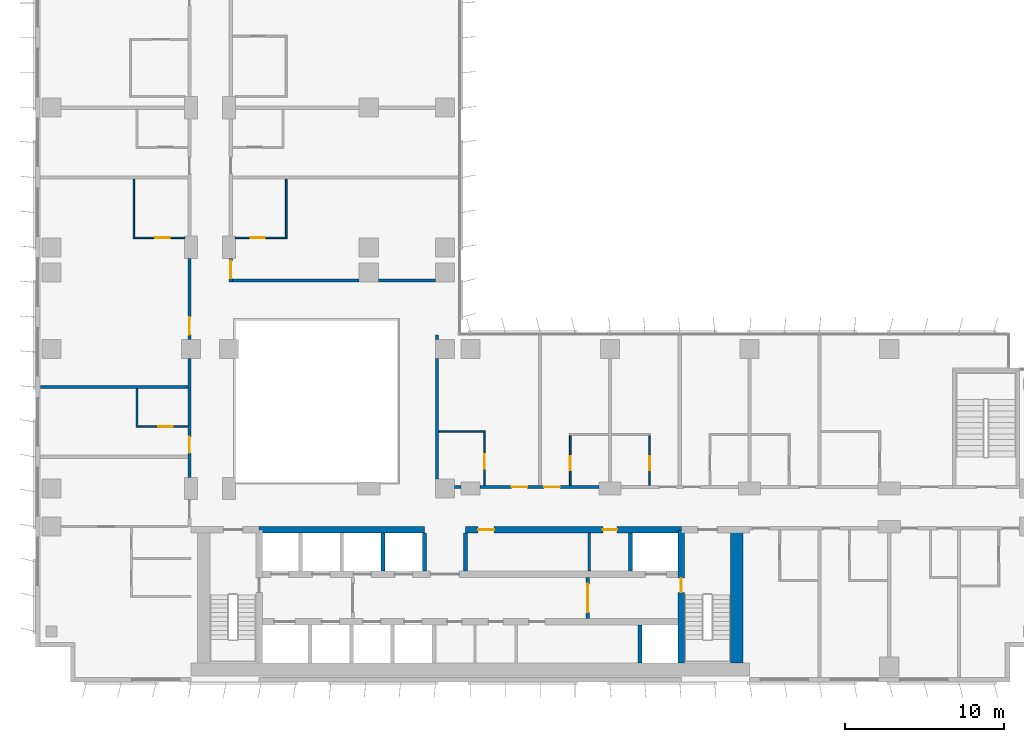
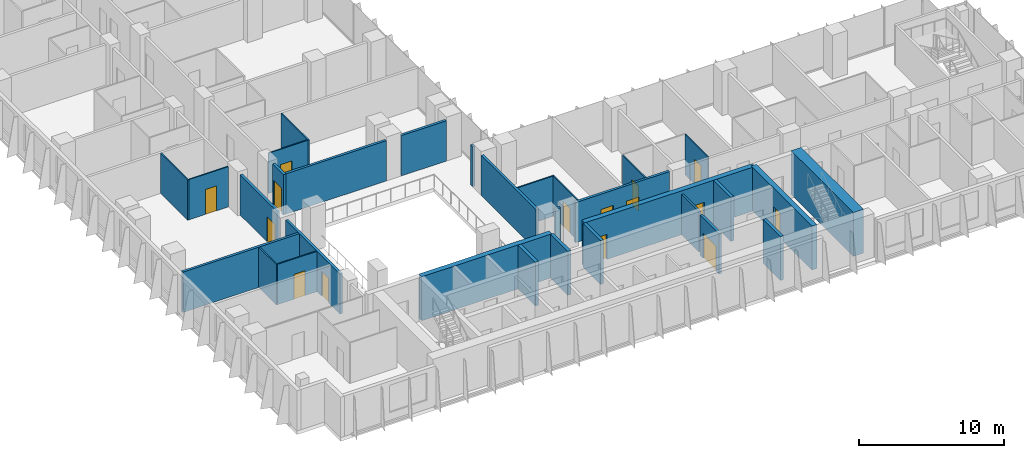
# One storey, part 13 of 23: 31 walls, 15 doors, 15 openings.
"""IFC4 building model written with IfcOpenShell, lengths in metres."""

from ifc_helpers import new_model, si_unit, direction, frame, frame_2d, origin, place, context, subcontext, project, spatial, rectangle, extrude, material, layer, layer_set, type_object, element, fill, save


model = new_model("IFC4")

# Units and contexts
model_context = context("Model", 3, precision=1e-05, world=origin(), true_north=direction((0.0, 1.0)))
body_context = subcontext(model_context, "Body", "Model", "MODEL_VIEW")
ifc_project = project(units=[si_unit("LENGTHUNIT", "METRE"), si_unit("AREAUNIT", "SQUARE_METRE"), si_unit("VOLUMEUNIT", "CUBIC_METRE"), si_unit("PLANEANGLEUNIT", "RADIAN"), si_unit("MASSUNIT", "GRAM", prefix="KILO")], contexts=[model_context])

# Site, building, storey
site_placement = place(None, origin())
site = spatial("IfcSite", under=ifc_project, at=site_placement, CompositionType="ELEMENT")
building_placement = place(site_placement, origin())
building = spatial("IfcBuilding", under=site, at=building_placement, Name="Kemantara Hotel Tower", CompositionType="ELEMENT")
storey_placement = place(building_placement, frame((0.0, 0.0, 114.800048828125)))
storey = spatial("IfcBuildingStorey", under=building, at=storey_placement, Name="L27", CompositionType="ELEMENT", Elevation=114.800048828125)

# Walls
ifc_material_1 = material(Name="Concrete fc 70 MPa", Category="concrete")
ifc_layer_1 = layer(ifc_material_1, 0.25)
ifc_layer_set_1 = layer_set([ifc_layer_1], Name="Concrete fc 70 MPa")
wall_type_1 = type_object("IfcWallType", Name="CORE WALL 250 FC70", PredefinedType="SHEAR", material=ifc_layer_set_1)
wall_1_placement = place(storey_placement, frame((38.10009765625, 1.199951171875, 0.0), z_axis=(0.0, 0.0, 1.0), x_axis=(0.0, 1.0, 0.0)))
element("IfcWall", 1, at=wall_1_placement, inside=storey, type_object=wall_type_1, Name="CORE WALL CW-DS38.1", PredefinedType="SHEAR", context=body_context, shape_type="SweptSolid", body=[
    extrude(rectangle(XDim=2.400146484375, YDim=0.25, at=frame_2d((1.2001953125, 0.0))), origin(), (0.0, 0.0, 1.0), 3.699951171875),
])
for number, where, z_axis, x_axis, name in (
    (2, (21.89990234375, 7.0, 0.0), (0.0, 0.0, 1.0), (0.0, 1.0, 0.0), "CORE WALL CW-DN21.9"),
    (3, (24.5, 7.0, 0.0), (0.0, 0.0, 1.0), (0.0, 1.0, 0.0), "CORE WALL CW-DN24.5"),
    (4, (27.10009765625, 7.0, 0.0), (0.0, 0.0, 1.0), (0.0, 1.0, 0.0), "CORE WALL CW-DN27.1"),
    (5, (37.5, 7.0, 0.0), (0.0, 0.0, 1.0), (0.0, 1.0, 0.0), "CORE WALL CW-DN37.5"),
):
    element("IfcWall", number, at=place(storey_placement, frame(where, z_axis=z_axis, x_axis=x_axis)), inside=storey, type_object=wall_type_1, Name=name, PredefinedType="SHEAR", context=body_context, shape_type="SweptSolid", body=[
        extrude(rectangle(XDim=2.39990234375, YDim=0.25, at=frame_2d((1.199951171875, 0.0))), origin(), (0.0, 0.0, 1.0), 3.699951171875),
    ])
ifc_layer_2 = layer(ifc_material_1, 0.39990234375)
ifc_layer_set_2 = layer_set([ifc_layer_2], Name="Concrete fc 70 MPa")
wall_type_2 = type_object("IfcWallType", Name="CORE WALL 400 FC70", PredefinedType="SHEAR", material=ifc_layer_set_2)
wall_2_placement = place(storey_placement, frame((14.10009765625, 9.60009765625, 0.0), z_axis=(0.0, 0.0, 1.0), x_axis=(1.0, 0.0, 0.0)))
element("IfcWall", 6, at=wall_2_placement, inside=storey, type_object=wall_type_2, Name="CORE WALL CW-NN1", PredefinedType="SHEAR", context=body_context, shape_type="SweptSolid", body=[
    extrude(rectangle(XDim=10.39990234375, YDim=0.39990234375, at=frame_2d((5.199951171875, 0.0))), origin(), (0.0, 0.0, 1.0), 3.699951171875),
])

# Wall, openings, doors
wall_3_placement = place(storey_placement, frame((27.10009765625, 9.60009765625, 0.0), z_axis=(0.0, 0.0, 1.0), x_axis=(1.0, 0.0, 0.0)))
wall_3 = element("IfcWall", 7, at=wall_3_placement, inside=storey, type_object=wall_type_2, Name="CORE WALL CW-NN2", PredefinedType="SHEAR", context=body_context, shape_type="SweptSolid", body=[
    extrude(rectangle(XDim=13.599853515625, YDim=0.39990234375, at=frame_2d((6.7998046875, 0.0))), origin(), (0.0, 0.0, 1.0), 3.699951171875),
])
opening_1_placement = place(wall_3_placement, frame((0.800048828125, 0.0, 0.0)))
opening_1 = element("IfcOpeningElement", 8, at=opening_1_placement, cuts=wall_3, Name="Opening C19-R-NE1", PredefinedType="OPENING", context=body_context, shape_type="SweptSolid", body=[
    extrude(rectangle(XDim=1.0, YDim=2.10009765625, at=frame_2d((0.5, 1.050048828125))), frame((0.0, 0.2099609375, 0.0), z_axis=(0.0, -1.0, 0.0), x_axis=(1.0, 0.0, 0.0)), (0.0, 0.0, 1.0), 0.419921875),
])
opening_2_placement = place(wall_3_placement, frame((8.64990234375, 0.0, 0.0)))
opening_2 = element("IfcOpeningElement", 9, at=opening_2_placement, cuts=wall_3, Name="Opening C19-R-NE2", PredefinedType="OPENING", context=body_context, shape_type="SweptSolid", body=[
    extrude(rectangle(XDim=0.89990234375, YDim=2.10009765625, at=frame_2d((0.449951171875, 1.050048828125))), frame((0.0, 0.2099609375, 0.0), z_axis=(0.0, -1.0, 0.0), x_axis=(1.0, 0.0, 0.0)), (0.0, 0.0, 1.0), 0.419921875),
])
ifc_material_2 = material(Name="Steel fire door", Category="steel")
door_type_1 = type_object("IfcDoorType", Name="Fire door FD30S 1000 x 2100", OperationType="NOTDEFINED", PredefinedType="DOOR", material=ifc_material_2)
door_1_placement = place(opening_1_placement, frame((1.0, 0.0, 0.0), z_axis=(0.0, 0.0, 1.0), x_axis=(-1.0, 0.0, 0.0)))
door_1 = element("IfcDoor", 10, at=door_1_placement, inside=storey, type_object=door_type_1, Name="Housekeeping Store door", OperationType="SINGLE_SWING_RIGHT", OverallHeight=2.10009765625, OverallWidth=1.0, PredefinedType="DOOR", context=body_context, shape_type="SweptSolid", body=[
    extrude(rectangle(XDim=1.0, YDim=2.10009765625, at=frame_2d((0.5, 1.050048828125))), frame((0.0, 0.02490234375, 0.0), z_axis=(0.0, -1.0, 0.0), x_axis=(1.0, 0.0, 0.0)), (0.0, 0.0, 1.0), 0.050048828125),
])
fill(opening_1, door_1)
door_type_2 = type_object("IfcDoorType", Name="Fire door FD60 900 x 2100", OperationType="NOTDEFINED", PredefinedType="DOOR", material=ifc_material_2)
door_2_placement = place(opening_2_placement, frame((0.89990234375, 0.0, 0.0), z_axis=(0.0, 0.0, 1.0), x_axis=(-1.0, 0.0, 0.0)))
door_2 = element("IfcDoor", 11, at=door_2_placement, inside=storey, type_object=door_type_2, Name="It Equipment Room door", OperationType="SINGLE_SWING_LEFT", OverallHeight=2.10009765625, OverallWidth=0.89990234375, PredefinedType="DOOR", context=body_context, shape_type="SweptSolid", body=[
    extrude(rectangle(XDim=0.89990234375, YDim=2.10009765625, at=frame_2d((0.449951171875, 1.050048828125))), frame((0.0, 0.02490234375, 0.0), z_axis=(0.0, -1.0, 0.0), x_axis=(1.0, 0.0, 0.0)), (0.0, 0.0, 1.0), 0.050048828125),
])
fill(opening_2, door_2)

# Wall, opening, door
wall_4_placement = place(storey_placement, frame((40.699951171875, 1.199951171875, 0.0), z_axis=(0.0, 0.0, 1.0), x_axis=(0.0, 1.0, 0.0)))
wall_4 = element("IfcWall", 12, at=wall_4_placement, inside=storey, type_object=wall_type_2, Name="CORE WALL CW-ST2W", PredefinedType="SHEAR", context=body_context, shape_type="SweptSolid", body=[
    extrude(rectangle(XDim=8.400146484375, YDim=0.39990234375, at=frame_2d((4.2001953125, 0.0))), origin(), (0.0, 0.0, 1.0), 3.699951171875),
])
opening_3_placement = place(wall_4_placement, frame((4.449951171875, 0.0, 0.0)))
opening_3 = element("IfcOpeningElement", 13, at=opening_3_placement, cuts=wall_4, Name="Opening C19-ST2-F", PredefinedType="OPENING", context=body_context, shape_type="SweptSolid", body=[
    extrude(rectangle(XDim=0.89990234375, YDim=2.10009765625, at=frame_2d((0.449951171875, 1.050048828125))), frame((0.0, 0.2099609375, 0.0), z_axis=(0.0, -1.0, 0.0), x_axis=(1.0, 0.0, 0.0)), (0.0, 0.0, 1.0), 0.419921875),
])
door_type_3 = type_object("IfcDoorType", Name="Fire door FD90 900 x 2100", OperationType="NOTDEFINED", PredefinedType="DOOR", material=ifc_material_2)
door_3_placement = place(opening_3_placement, frame((0.89990234375, 0.0, 0.0), z_axis=(0.0, 0.0, 1.0), x_axis=(-1.0, 0.0, 0.0)))
door_3 = element("IfcDoor", 14, at=door_3_placement, inside=storey, type_object=door_type_3, Name="Stair ST2 door to firefighting lobby", OperationType="SINGLE_SWING_LEFT", OverallHeight=2.10009765625, OverallWidth=0.89990234375, PredefinedType="DOOR", context=body_context, shape_type="SweptSolid", body=[
    extrude(rectangle(XDim=0.89990234375, YDim=2.10009765625, at=frame_2d((0.449951171875, 1.050048828125))), frame((0.0, 0.02490234375, 0.0), z_axis=(0.0, -1.0, 0.0), x_axis=(1.0, 0.0, 0.0)), (0.0, 0.0, 1.0), 0.050048828125),
])
fill(opening_3, door_3)

# Walls
ifc_layer_3 = layer(ifc_material_1, 0.800048828125)
ifc_layer_set_3 = layer_set([ifc_layer_3], Name="Concrete fc 70 MPa")
wall_type_3 = type_object("IfcWallType", Name="CORE WALL 800 FC70", PredefinedType="SHEAR", material=ifc_layer_set_3)
wall_5_placement = place(storey_placement, frame((44.199951171875, 1.199951171875, 0.0), z_axis=(0.0, 0.0, 1.0), x_axis=(0.0, 1.0, 0.0)))
element("IfcWall", 15, at=wall_5_placement, inside=storey, type_object=wall_type_3, Name="CORE WALL CW-E", PredefinedType="SHEAR", context=body_context, shape_type="SweptSolid", body=[
    extrude(rectangle(XDim=8.60009765625, YDim=0.800048828125, at=frame_2d((4.300048828125, 0.0))), origin(), (0.0, 0.0, 1.0), 3.699951171875),
])
ifc_material_3 = material(Name="Gypsum board partition, steel studs and mineral wool, 200 mm", Category="steel")
ifc_layer_4 = layer(ifc_material_3, 0.199951171875)
ifc_layer_set_4 = layer_set([ifc_layer_4], Name="Gypsum board partition, steel studs and mineral wool, 200 mm")
wall_type_4 = type_object("IfcWallType", Name="CORRIDOR WALL 200", PredefinedType="PARTITIONING", material=ifc_layer_set_4)
wall_6_placement = place(storey_placement, frame((26.400146484375, 12.300048828125, 0.0), z_axis=(0.0, 0.0, 1.0), x_axis=(1.0, 0.0, 0.0)))
element("IfcWall", 16, at=wall_6_placement, inside=storey, type_object=wall_type_4, Name="CORRIDOR WALL 200 007", PredefinedType="PARTITIONING", context=body_context, shape_type="SweptSolid", body=[
    extrude(rectangle(XDim=0.399658203125, YDim=0.199951171875, at=frame_2d((0.19970703125, 0.0))), origin(), (0.0, 0.0, 1.0), 3.39990234375),
])

# Wall, openings, doors
wall_7_placement = place(storey_placement, frame((28.0, 12.300048828125, 0.0), z_axis=(0.0, 0.0, 1.0), x_axis=(1.0, 0.0, 0.0)))
wall_7 = element("IfcWall", 17, at=wall_7_placement, inside=storey, type_object=wall_type_4, Name="CORRIDOR WALL 200 008", PredefinedType="PARTITIONING", context=body_context, shape_type="SweptSolid", body=[
    extrude(rectangle(XDim=7.5, YDim=0.199951171875, at=frame_2d((3.75, 0.0))), origin(), (0.0, 0.0, 1.0), 3.39990234375),
])
opening_4_placement = place(wall_7_placement, frame((2.0, 0.0, 0.0)))
opening_4 = element("IfcOpeningElement", 18, at=opening_4_placement, cuts=wall_7, Name="Opening F12-009", PredefinedType="OPENING", context=body_context, shape_type="SweptSolid", body=[
    extrude(rectangle(XDim=1.0, YDim=2.10009765625, at=frame_2d((0.5, 1.050048828125))), frame((0.0, 0.10986328125, 0.0), z_axis=(0.0, -1.0, 0.0), x_axis=(1.0, 0.0, 0.0)), (0.0, 0.0, 1.0), 0.219970703125),
])
opening_5_placement = place(wall_7_placement, frame((4.0498046875, 0.0, 0.0)))
opening_5 = element("IfcOpeningElement", 19, at=opening_5_placement, cuts=wall_7, Name="Opening F12-011", PredefinedType="OPENING", context=body_context, shape_type="SweptSolid", body=[
    extrude(rectangle(XDim=1.0, YDim=2.10009765625, at=frame_2d((0.5, 1.050048828125))), frame((0.0, 0.10986328125, 0.0), z_axis=(0.0, -1.0, 0.0), x_axis=(1.0, 0.0, 0.0)), (0.0, 0.0, 1.0), 0.219970703125),
])
ifc_material_4 = material(Name="Hardwood veneer door leaf with steel frame", Category="steel")
door_type_4 = type_object("IfcDoorType", Name="GUEST ROOM DOOR 1000 X 2100 FD30S", OperationType="NOTDEFINED", PredefinedType="DOOR", material=ifc_material_4)
door_4_placement = place(opening_4_placement, origin())
door_4 = element("IfcDoor", 20, at=door_4_placement, inside=storey, type_object=door_type_4, Name="GUEST ROOM DOOR F12-009", OperationType="SINGLE_SWING_RIGHT", OverallHeight=2.10009765625, OverallWidth=1.0, PredefinedType="DOOR", context=body_context, shape_type="SweptSolid", body=[
    extrude(rectangle(XDim=1.0, YDim=2.10009765625, at=frame_2d((0.5, 1.050048828125))), frame((0.0, 0.02490234375, 0.0), z_axis=(0.0, -1.0, 0.0), x_axis=(1.0, 0.0, 0.0)), (0.0, 0.0, 1.0), 0.050048828125),
])
fill(opening_4, door_4)
door_5_placement = place(opening_5_placement, origin())
door_5 = element("IfcDoor", 21, at=door_5_placement, inside=storey, type_object=door_type_4, Name="GUEST ROOM DOOR F12-011", OperationType="SINGLE_SWING_LEFT", OverallHeight=2.10009765625, OverallWidth=1.0, PredefinedType="DOOR", context=body_context, shape_type="SweptSolid", body=[
    extrude(rectangle(XDim=1.0, YDim=2.10009765625, at=frame_2d((0.5, 1.050048828125))), frame((0.0, 0.02490234375, 0.0), z_axis=(0.0, -1.0, 0.0), x_axis=(1.0, 0.0, 0.0)), (0.0, 0.0, 1.0), 0.050048828125),
])
fill(opening_5, door_5)

# Wall, opening, door
wall_8_placement = place(storey_placement, frame((9.699951171875, 12.900146484375, 0.0), z_axis=(0.0, 0.0, 1.0), x_axis=(0.0, 1.0, 0.0)))
wall_8 = element("IfcWall", 22, at=wall_8_placement, inside=storey, type_object=wall_type_4, Name="CORRIDOR WALL 200 019", PredefinedType="PARTITIONING", context=body_context, shape_type="SweptSolid", body=[
    extrude(rectangle(XDim=7.499755859375, YDim=0.199951171875, at=frame_2d((3.75, 0.0))), origin(), (0.0, 0.0, 1.0), 3.39990234375),
])
opening_6_placement = place(wall_8_placement, frame((1.5498046875, 0.0, 0.0)))
opening_6 = element("IfcOpeningElement", 23, at=opening_6_placement, cuts=wall_8, Name="Opening F12-025", PredefinedType="OPENING", context=body_context, shape_type="SweptSolid", body=[
    extrude(rectangle(XDim=1.0, YDim=2.10009765625, at=frame_2d((0.5, 1.050048828125))), frame((0.0, 0.10986328125, 0.0), z_axis=(0.0, -1.0, 0.0), x_axis=(1.0, 0.0, 0.0)), (0.0, 0.0, 1.0), 0.219970703125),
])
door_6_placement = place(opening_6_placement, origin())
door_6 = element("IfcDoor", 24, at=door_6_placement, inside=storey, type_object=door_type_4, Name="GUEST ROOM DOOR F12-025", OperationType="SINGLE_SWING_LEFT", OverallHeight=2.10009765625, OverallWidth=1.0, PredefinedType="DOOR", context=body_context, shape_type="SweptSolid", body=[
    extrude(rectangle(XDim=1.0, YDim=2.10009765625, at=frame_2d((0.5, 1.050048828125))), frame((0.0, 0.02490234375, 0.0), z_axis=(0.0, -1.0, 0.0), x_axis=(1.0, 0.0, 0.0)), (0.0, 0.0, 1.0), 0.050048828125),
])
fill(opening_6, door_6)

wall_9_placement = place(storey_placement, frame((9.699951171875, 21.60009765625, 0.0), z_axis=(0.0, 0.0, 1.0), x_axis=(0.0, 1.0, 0.0)))
wall_9 = element("IfcWall", 25, at=wall_9_placement, inside=storey, type_object=wall_type_4, Name="CORRIDOR WALL 200 020", PredefinedType="PARTITIONING", context=body_context, shape_type="SweptSolid", body=[
    extrude(rectangle(XDim=5.099853515625, YDim=0.199951171875, at=frame_2d((2.5498046875, 0.0))), origin(), (0.0, 0.0, 1.0), 3.39990234375),
])
opening_7_placement = place(wall_9_placement, frame((0.2998046875, 0.0, 0.0)))
opening_7 = element("IfcOpeningElement", 26, at=opening_7_placement, cuts=wall_9, Name="Opening F12-027", PredefinedType="OPENING", context=body_context, shape_type="SweptSolid", body=[
    extrude(rectangle(XDim=1.10009765625, YDim=2.10009765625, at=frame_2d((0.550048828125, 1.050048828125))), frame((0.0, 0.10986328125, 0.0), z_axis=(0.0, -1.0, 0.0), x_axis=(1.0, 0.0, 0.0)), (0.0, 0.0, 1.0), 0.219970703125),
])
door_type_5 = type_object("IfcDoorType", Name="SUITE ENTRANCE DOOR 1100 X 2100 FD30S", OperationType="NOTDEFINED", PredefinedType="DOOR", material=ifc_material_4)
door_7_placement = place(opening_7_placement, origin())
door_7 = element("IfcDoor", 27, at=door_7_placement, inside=storey, type_object=door_type_5, Name="SUITE ENTRANCE DOOR F12-027", OperationType="SINGLE_SWING_LEFT", OverallHeight=2.10009765625, OverallWidth=1.10009765625, PredefinedType="DOOR", context=body_context, shape_type="SweptSolid", body=[
    extrude(rectangle(XDim=1.10009765625, YDim=2.10009765625, at=frame_2d((0.550048828125, 1.050048828125))), frame((0.0, 0.02490234375, 0.0), z_axis=(0.0, -1.0, 0.0), x_axis=(1.0, 0.0, 0.0)), (0.0, 0.0, 1.0), 0.050048828125),
])
fill(opening_7, door_7)

wall_10_placement = place(storey_placement, frame((12.300048828125, 26.699951171875, 0.0), z_axis=(0.0, 0.0, 1.0), x_axis=(0.0, -1.0, 0.0)))
wall_10 = element("IfcWall", 28, at=wall_10_placement, inside=storey, type_object=wall_type_4, Name="CORRIDOR WALL 200 044", PredefinedType="PARTITIONING", context=body_context, shape_type="SweptSolid", body=[
    extrude(rectangle(XDim=1.5, YDim=0.199951171875, at=frame_2d((0.75, 0.0))), origin(), (0.0, 0.0, 1.0), 3.39990234375),
])
opening_8_placement = place(wall_10_placement, frame((0.14990234375, 0.0, 0.0)))
opening_8 = element("IfcOpeningElement", 29, at=opening_8_placement, cuts=wall_10, Name="Opening F12-045", PredefinedType="OPENING", context=body_context, shape_type="SweptSolid", body=[
    extrude(rectangle(XDim=1.10009765625, YDim=2.10009765625, at=frame_2d((0.550048828125, 1.050048828125))), frame((0.0, 0.10986328125, 0.0), z_axis=(0.0, -1.0, 0.0), x_axis=(1.0, 0.0, 0.0)), (0.0, 0.0, 1.0), 0.219970703125),
])
door_8_placement = place(opening_8_placement, origin())
door_8 = element("IfcDoor", 30, at=door_8_placement, inside=storey, type_object=door_type_5, Name="SUITE ENTRANCE DOOR F12-045", OperationType="SINGLE_SWING_RIGHT", OverallHeight=2.10009765625, OverallWidth=1.10009765625, PredefinedType="DOOR", context=body_context, shape_type="SweptSolid", body=[
    extrude(rectangle(XDim=1.10009765625, YDim=2.10009765625, at=frame_2d((0.550048828125, 1.050048828125))), frame((0.0, 0.02490234375, 0.0), z_axis=(0.0, -1.0, 0.0), x_axis=(1.0, 0.0, 0.0)), (0.0, 0.0, 1.0), 0.050048828125),
])
fill(opening_8, door_8)

# Walls
ifc_layer_5 = layer(ifc_material_3, 0.199951171875)
ifc_layer_set_5 = layer_set([ifc_layer_5], Name="Gypsum board partition, steel studs and mineral wool, 200 mm")
wall_type_5 = type_object("IfcWallType", Name="GUEST ROOM PARTY WALL 200", PredefinedType="PARTITIONING", material=ifc_layer_set_5)
wall_11_placement = place(storey_placement, frame((25.300048828125, 12.800048828125, 0.0), z_axis=(0.0, 0.0, 1.0), x_axis=(0.0, 1.0, 0.0)))
element("IfcWall", 31, at=wall_11_placement, inside=storey, type_object=wall_type_5, Name="GUEST ROOM PARTY WALL 200 012", PredefinedType="PARTITIONING", context=body_context, shape_type="SweptSolid", body=[
    extrude(rectangle(XDim=7.599853515625, YDim=0.199951171875, at=frame_2d((3.7998046875, 0.0))), origin(), (0.0, 0.0, 1.0), 3.39990234375),
])
wall_12_placement = place(storey_placement, frame((25.300048828125, 21.60009765625, 0.0), z_axis=(0.0, 0.0, 1.0), x_axis=(0.0, 1.0, 0.0)))
element("IfcWall", 32, at=wall_12_placement, inside=storey, type_object=wall_type_5, Name="GUEST ROOM PARTY WALL 200 013", PredefinedType="PARTITIONING", context=body_context, shape_type="SweptSolid", body=[
    extrude(rectangle(XDim=0.27001953125, YDim=0.199951171875, at=frame_2d((0.135009765625, 0.0))), origin(), (0.0, 0.0, 1.0), 3.39990234375),
])
wall_13_placement = place(storey_placement, frame((0.31005859375, 18.60009765625, 0.0), z_axis=(0.0, 0.0, 1.0), x_axis=(1.0, 0.0, 0.0)))
element("IfcWall", 33, at=wall_13_placement, inside=storey, type_object=wall_type_5, Name="GUEST ROOM PARTY WALL 200 028", PredefinedType="PARTITIONING", context=body_context, shape_type="SweptSolid", body=[
    extrude(rectangle(XDim=9.2900390625, YDim=0.199951171875, at=frame_2d((4.64501953125, 0.0))), origin(), (0.0, 0.0, 1.0), 3.39990234375),
])
wall_14_placement = place(storey_placement, frame((12.39990234375, 25.300048828125, 0.0), z_axis=(0.0, 0.0, 1.0), x_axis=(1.0, 0.0, 0.0)))
element("IfcWall", 34, at=wall_14_placement, inside=storey, type_object=wall_type_5, Name="GUEST ROOM PARTY WALL 200 051", PredefinedType="PARTITIONING", context=body_context, shape_type="SweptSolid", body=[
    extrude(rectangle(XDim=8.0, YDim=0.199951171875, at=frame_2d((4.0, 0.0))), origin(), (0.0, 0.0, 1.0), 3.39990234375),
])
wall_15_placement = place(storey_placement, frame((21.60009765625, 25.300048828125, 0.0), z_axis=(0.0, 0.0, 1.0), x_axis=(1.0, 0.0, 0.0)))
element("IfcWall", 35, at=wall_15_placement, inside=storey, type_object=wall_type_5, Name="GUEST ROOM PARTY WALL 200 052", PredefinedType="PARTITIONING", context=body_context, shape_type="SweptSolid", body=[
    extrude(rectangle(XDim=3.599853515625, YDim=0.199951171875, at=frame_2d((1.7998046875, 0.0))), origin(), (0.0, 0.0, 1.0), 3.39990234375),
])
ifc_material_5 = material(Name="Gypsum board partition")
ifc_layer_6 = layer(ifc_material_5, 0.14990234375)
ifc_layer_set_6 = layer_set([ifc_layer_6], Name="Gypsum board partition")
wall_type_6 = type_object("IfcWallType", Name="Gypsum board partition 150 mm", PredefinedType="PARTITIONING", material=ifc_layer_set_6)
wall_16_placement = place(storey_placement, frame((34.89990234375, 7.0, 0.0), z_axis=(0.0, 0.0, 1.0), x_axis=(0.0, 1.0, 0.0)))
element("IfcWall", 36, at=wall_16_placement, inside=storey, type_object=wall_type_6, Name="Core room partition", PredefinedType="PARTITIONING", context=body_context, shape_type="SweptSolid", body=[
    extrude(rectangle(XDim=2.39990234375, YDim=0.14990234375, at=frame_2d((1.199951171875, 0.0))), origin(), (0.0, 0.0, 1.0), 3.39990234375),
])

# Wall, opening, door
ifc_material_6 = material(Name="Gypsum board shaft wall")
ifc_layer_7 = layer(ifc_material_6, 0.199951171875)
ifc_layer_set_7 = layer_set([ifc_layer_7], Name="Gypsum board shaft wall")
wall_type_7 = type_object("IfcWallType", Name="Gypsum board shaft wall 200 mm", PredefinedType="PARTITIONING", material=ifc_layer_set_7)
wall_17_placement = place(storey_placement, frame((34.800048828125, 4.0, 0.0), z_axis=(0.0, 0.0, 1.0), x_axis=(0.0, 1.0, 0.0)))
wall_17 = element("IfcWall", 37, at=wall_17_placement, inside=storey, type_object=wall_type_7, Name="Firefighting lobby partition east", PredefinedType="PARTITIONING", context=body_context, shape_type="SweptSolid", body=[
    extrude(rectangle(XDim=2.60009765625, YDim=0.199951171875, at=frame_2d((1.300048828125, 0.0))), origin(), (0.0, 0.0, 1.0), 3.39990234375),
])
opening_9_placement = place(wall_17_placement, frame((0.39990234375, 0.0, 0.0)))
opening_9 = element("IfcOpeningElement", 38, at=opening_9_placement, cuts=wall_17, Name="Opening C19-FFE", PredefinedType="OPENING", context=body_context, shape_type="SweptSolid", body=[
    extrude(rectangle(XDim=1.800048828125, YDim=2.10009765625, at=frame_2d((0.89990234375, 1.050048828125))), frame((0.0, 0.10986328125, 0.0), z_axis=(0.0, -1.0, 0.0), x_axis=(1.0, 0.0, 0.0)), (0.0, 0.0, 1.0), 0.219970703125),
])
door_type_6 = type_object("IfcDoorType", Name="Fire door pair FD60 1800 x 2100", OperationType="DOUBLE_DOOR_SINGLE_SWING", PredefinedType="DOOR", material=ifc_material_2)
door_9_placement = place(opening_9_placement, frame((1.800048828125, 0.0, 0.0), z_axis=(0.0, 0.0, 1.0), x_axis=(-1.0, 0.0, 0.0)))
door_9 = element("IfcDoor", 39, at=door_9_placement, inside=storey, type_object=door_type_6, Name="Firefighting lobby door east", OperationType="DOUBLE_DOOR_SINGLE_SWING", OverallHeight=2.10009765625, OverallWidth=1.800048828125, PredefinedType="DOOR", context=body_context, shape_type="SweptSolid", body=[
    extrude(rectangle(XDim=1.800048828125, YDim=2.10009765625, at=frame_2d((0.89990234375, 1.050048828125))), frame((0.0, 0.02490234375, 0.0), z_axis=(0.0, -1.0, 0.0), x_axis=(1.0, 0.0, 0.0)), (0.0, 0.0, 1.0), 0.050048828125),
])
fill(opening_9, door_9)

# Wall
ifc_material_7 = material(Name="Gypsum board partition on steel studs, 100 mm", Category="steel")
ifc_layer_8 = layer(ifc_material_7, 0.10009765625)
ifc_layer_set_8 = layer_set([ifc_layer_8], Name="Gypsum board partition on steel studs, 100 mm")
wall_type_8 = type_object("IfcWallType", Name="ROOM PARTITION 100", PredefinedType="PARTITIONING", material=ifc_layer_set_8)
wall_18_placement = place(storey_placement, frame((25.39990234375, 15.800048828125, 0.0), z_axis=(0.0, 0.0, 1.0), x_axis=(1.0, 0.0, 0.0)))
element("IfcWall", 40, at=wall_18_placement, inside=storey, type_object=wall_type_8, Name="ROOM PARTITION 100 065", PredefinedType="PARTITIONING", context=body_context, shape_type="SweptSolid", body=[
    extrude(rectangle(XDim=2.9501953125, YDim=0.10009765625, at=frame_2d((1.47509765625, 0.0))), origin(), (0.0, 0.0, 1.0), 3.39990234375),
])

# Wall, opening, door
wall_19_placement = place(storey_placement, frame((28.300048828125, 12.39990234375, 0.0), z_axis=(0.0, 0.0, 1.0), x_axis=(0.0, 1.0, 0.0)))
wall_19 = element("IfcWall", 41, at=wall_19_placement, inside=storey, type_object=wall_type_8, Name="ROOM PARTITION 100 067", PredefinedType="PARTITIONING", context=body_context, shape_type="SweptSolid", body=[
    extrude(rectangle(XDim=3.35009765625, YDim=0.10009765625, at=frame_2d((1.675048828125, 0.0))), origin(), (0.0, 0.0, 1.0), 3.39990234375),
])
opening_10_placement = place(wall_19_placement, frame((1.050048828125, 0.0, 0.0)))
opening_10 = element("IfcOpeningElement", 42, at=opening_10_placement, cuts=wall_19, Name="Opening F12-010", PredefinedType="OPENING", context=body_context, shape_type="SweptSolid", body=[
    extrude(rectangle(XDim=0.89990234375, YDim=2.10009765625, at=frame_2d((0.449951171875, 1.050048828125))), frame((0.0, 0.06005859375, 0.0), z_axis=(0.0, -1.0, 0.0), x_axis=(1.0, 0.0, 0.0)), (0.0, 0.0, 1.0), 0.1201171875),
])
door_type_7 = type_object("IfcDoorType", Name="BATHROOM DOOR 900 X 2100", OperationType="NOTDEFINED", PredefinedType="DOOR", material=ifc_material_4)
door_10_placement = place(opening_10_placement, origin())
door_10 = element("IfcDoor", 43, at=door_10_placement, inside=storey, type_object=door_type_7, Name="BATHROOM DOOR F12-010", OperationType="SINGLE_SWING_LEFT", OverallHeight=2.10009765625, OverallWidth=0.89990234375, PredefinedType="DOOR", context=body_context, shape_type="SweptSolid", body=[
    extrude(rectangle(XDim=0.89990234375, YDim=2.10009765625, at=frame_2d((0.449951171875, 1.050048828125))), frame((0.0, 0.02490234375, 0.0), z_axis=(0.0, -1.0, 0.0), x_axis=(1.0, 0.0, 0.0)), (0.0, 0.0, 1.0), 0.050048828125),
])
fill(opening_10, door_10)

wall_20_placement = place(storey_placement, frame((33.699951171875, 15.550048828125, 0.0), z_axis=(0.0, 0.0, 1.0), x_axis=(0.0, -1.0, 0.0)))
wall_20 = element("IfcWall", 44, at=wall_20_placement, inside=storey, type_object=wall_type_8, Name="ROOM PARTITION 100 072", PredefinedType="PARTITIONING", context=body_context, shape_type="SweptSolid", body=[
    extrude(rectangle(XDim=3.150146484375, YDim=0.10009765625, at=frame_2d((1.5751953125, 0.0))), origin(), (0.0, 0.0, 1.0), 3.39990234375),
])
opening_11_placement = place(wall_20_placement, frame((1.300048828125, 0.0, 0.0)))
opening_11 = element("IfcOpeningElement", 45, at=opening_11_placement, cuts=wall_20, Name="Opening F12-012", PredefinedType="OPENING", context=body_context, shape_type="SweptSolid", body=[
    extrude(rectangle(XDim=0.89990234375, YDim=2.10009765625, at=frame_2d((0.449951171875, 1.050048828125))), frame((0.0, 0.06005859375, 0.0), z_axis=(0.0, -1.0, 0.0), x_axis=(1.0, 0.0, 0.0)), (0.0, 0.0, 1.0), 0.1201171875),
])
door_11_placement = place(opening_11_placement, origin())
door_11 = element("IfcDoor", 46, at=door_11_placement, inside=storey, type_object=door_type_7, Name="BATHROOM DOOR F12-012", OperationType="SINGLE_SWING_RIGHT", OverallHeight=2.10009765625, OverallWidth=0.89990234375, PredefinedType="DOOR", context=body_context, shape_type="SweptSolid", body=[
    extrude(rectangle(XDim=0.89990234375, YDim=2.10009765625, at=frame_2d((0.449951171875, 1.050048828125))), frame((0.0, 0.02490234375, 0.0), z_axis=(0.0, -1.0, 0.0), x_axis=(1.0, 0.0, 0.0)), (0.0, 0.0, 1.0), 0.050048828125),
])
fill(opening_11, door_11)

wall_21_placement = place(storey_placement, frame((38.699951171875, 12.39990234375, 0.0), z_axis=(0.0, 0.0, 1.0), x_axis=(0.0, 1.0, 0.0)))
wall_21 = element("IfcWall", 47, at=wall_21_placement, inside=storey, type_object=wall_type_8, Name="ROOM PARTITION 100 073", PredefinedType="PARTITIONING", context=body_context, shape_type="SweptSolid", body=[
    extrude(rectangle(XDim=3.150146484375, YDim=0.10009765625, at=frame_2d((1.5751953125, 0.0))), origin(), (0.0, 0.0, 1.0), 3.39990234375),
])
opening_12_placement = place(wall_21_placement, frame((0.949951171875, 0.0, 0.0)))
opening_12 = element("IfcOpeningElement", 48, at=opening_12_placement, cuts=wall_21, Name="Opening F12-014", PredefinedType="OPENING", context=body_context, shape_type="SweptSolid", body=[
    extrude(rectangle(XDim=0.89990234375, YDim=2.10009765625, at=frame_2d((0.449951171875, 1.050048828125))), frame((0.0, 0.06005859375, 0.0), z_axis=(0.0, -1.0, 0.0), x_axis=(1.0, 0.0, 0.0)), (0.0, 0.0, 1.0), 0.1201171875),
])
door_12_placement = place(opening_12_placement, origin())
door_12 = element("IfcDoor", 49, at=door_12_placement, inside=storey, type_object=door_type_7, Name="BATHROOM DOOR F12-014", OperationType="SINGLE_SWING_LEFT", OverallHeight=2.10009765625, OverallWidth=0.89990234375, PredefinedType="DOOR", context=body_context, shape_type="SweptSolid", body=[
    extrude(rectangle(XDim=0.89990234375, YDim=2.10009765625, at=frame_2d((0.449951171875, 1.050048828125))), frame((0.0, 0.02490234375, 0.0), z_axis=(0.0, -1.0, 0.0), x_axis=(1.0, 0.0, 0.0)), (0.0, 0.0, 1.0), 0.050048828125),
])
fill(opening_12, door_12)

# Wall
wall_22_placement = place(storey_placement, frame((6.39990234375, 16.050048828125, 0.0), z_axis=(0.0, 0.0, 1.0), x_axis=(0.0, 1.0, 0.0)))
element("IfcWall", 50, at=wall_22_placement, inside=storey, type_object=wall_type_8, Name="ROOM PARTITION 100 082", PredefinedType="PARTITIONING", context=body_context, shape_type="SweptSolid", body=[
    extrude(rectangle(XDim=2.449951171875, YDim=0.10009765625, at=frame_2d((1.22509765625, 0.0))), origin(), (0.0, 0.0, 1.0), 3.39990234375),
])

# Wall, opening, door
wall_23_placement = place(storey_placement, frame((6.449951171875, 16.10009765625, 0.0), z_axis=(0.0, 0.0, 1.0), x_axis=(1.0, 0.0, 0.0)))
wall_23 = element("IfcWall", 51, at=wall_23_placement, inside=storey, type_object=wall_type_8, Name="ROOM PARTITION 100 089", PredefinedType="PARTITIONING", context=body_context, shape_type="SweptSolid", body=[
    extrude(rectangle(XDim=3.150146484375, YDim=0.10009765625, at=frame_2d((1.5751953125, 0.0))), origin(), (0.0, 0.0, 1.0), 3.39990234375),
])
opening_13_placement = place(wall_23_placement, frame((1.300048828125, 0.0, 0.0)))
opening_13 = element("IfcOpeningElement", 52, at=opening_13_placement, cuts=wall_23, Name="Opening F12-026", PredefinedType="OPENING", context=body_context, shape_type="SweptSolid", body=[
    extrude(rectangle(XDim=0.89990234375, YDim=2.10009765625, at=frame_2d((0.449951171875, 1.050048828125))), frame((0.0, 0.06005859375, 0.0), z_axis=(0.0, -1.0, 0.0), x_axis=(1.0, 0.0, 0.0)), (0.0, 0.0, 1.0), 0.1201171875),
])
door_13_placement = place(opening_13_placement, origin())
door_13 = element("IfcDoor", 53, at=door_13_placement, inside=storey, type_object=door_type_7, Name="BATHROOM DOOR F12-026", OperationType="SINGLE_SWING_RIGHT", OverallHeight=2.10009765625, OverallWidth=0.89990234375, PredefinedType="DOOR", context=body_context, shape_type="SweptSolid", body=[
    extrude(rectangle(XDim=0.89990234375, YDim=2.10009765625, at=frame_2d((0.449951171875, 1.050048828125))), frame((0.0, 0.02490234375, 0.0), z_axis=(0.0, -1.0, 0.0), x_axis=(1.0, 0.0, 0.0)), (0.0, 0.0, 1.0), 0.050048828125),
])
fill(opening_13, door_13)

# Wall
wall_24_placement = place(storey_placement, frame((6.199951171875, 27.949951171875, 0.0), z_axis=(0.0, 0.0, 1.0), x_axis=(0.0, 1.0, 0.0)))
element("IfcWall", 54, at=wall_24_placement, inside=storey, type_object=wall_type_8, Name="ROOM PARTITION 100 090", PredefinedType="PARTITIONING", context=body_context, shape_type="SweptSolid", body=[
    extrude(rectangle(XDim=3.75, YDim=0.10009765625, at=frame_2d((1.875, 0.0))), origin(), (0.0, 0.0, 1.0), 3.39990234375),
])

# Wall, opening, door
wall_25_placement = place(storey_placement, frame((6.25, 28.0, 0.0), z_axis=(0.0, 0.0, 1.0), x_axis=(1.0, 0.0, 0.0)))
wall_25 = element("IfcWall", 55, at=wall_25_placement, inside=storey, type_object=wall_type_8, Name="ROOM PARTITION 100 091", PredefinedType="PARTITIONING", context=body_context, shape_type="SweptSolid", body=[
    extrude(rectangle(XDim=3.14990234375, YDim=0.10009765625, at=frame_2d((1.574951171875, 0.0))), origin(), (0.0, 0.0, 1.0), 3.39990234375),
])
opening_14_placement = place(wall_25_placement, frame((1.300048828125, 0.0, 0.0)))
opening_14 = element("IfcOpeningElement", 56, at=opening_14_placement, cuts=wall_25, Name="Opening F12-028", PredefinedType="OPENING", context=body_context, shape_type="SweptSolid", body=[
    extrude(rectangle(XDim=0.89990234375, YDim=2.10009765625, at=frame_2d((0.449951171875, 1.050048828125))), frame((0.0, 0.06005859375, 0.0), z_axis=(0.0, -1.0, 0.0), x_axis=(1.0, 0.0, 0.0)), (0.0, 0.0, 1.0), 0.1201171875),
])
door_14_placement = place(opening_14_placement, origin())
door_14 = element("IfcDoor", 57, at=door_14_placement, inside=storey, type_object=door_type_7, Name="BATHROOM DOOR F12-028", OperationType="SINGLE_SWING_RIGHT", OverallHeight=2.10009765625, OverallWidth=0.89990234375, PredefinedType="DOOR", context=body_context, shape_type="SweptSolid", body=[
    extrude(rectangle(XDim=0.89990234375, YDim=2.10009765625, at=frame_2d((0.449951171875, 1.050048828125))), frame((0.0, 0.02490234375, 0.0), z_axis=(0.0, -1.0, 0.0), x_axis=(1.0, 0.0, 0.0)), (0.0, 0.0, 1.0), 0.050048828125),
])
fill(opening_14, door_14)

wall_26_placement = place(storey_placement, frame((12.60009765625, 28.0, 0.0), z_axis=(0.0, 0.0, 1.0), x_axis=(1.0, 0.0, 0.0)))
wall_26 = element("IfcWall", 58, at=wall_26_placement, inside=storey, type_object=wall_type_8, Name="ROOM PARTITION 100 092", PredefinedType="PARTITIONING", context=body_context, shape_type="SweptSolid", body=[
    extrude(rectangle(XDim=3.14990234375, YDim=0.10009765625, at=frame_2d((1.574951171875, 0.0))), origin(), (0.0, 0.0, 1.0), 3.39990234375),
])
opening_15_placement = place(wall_26_placement, frame((0.949951171875, 0.0, 0.0)))
opening_15 = element("IfcOpeningElement", 59, at=opening_15_placement, cuts=wall_26, Name="Opening F12-046", PredefinedType="OPENING", context=body_context, shape_type="SweptSolid", body=[
    extrude(rectangle(XDim=0.89990234375, YDim=2.10009765625, at=frame_2d((0.449951171875, 1.050048828125))), frame((0.0, 0.06005859375, 0.0), z_axis=(0.0, -1.0, 0.0), x_axis=(1.0, 0.0, 0.0)), (0.0, 0.0, 1.0), 0.1201171875),
])
door_15_placement = place(opening_15_placement, origin())
door_15 = element("IfcDoor", 60, at=door_15_placement, inside=storey, type_object=door_type_7, Name="BATHROOM DOOR F12-046", OperationType="SINGLE_SWING_LEFT", OverallHeight=2.10009765625, OverallWidth=0.89990234375, PredefinedType="DOOR", context=body_context, shape_type="SweptSolid", body=[
    extrude(rectangle(XDim=0.89990234375, YDim=2.10009765625, at=frame_2d((0.449951171875, 1.050048828125))), frame((0.0, 0.02490234375, 0.0), z_axis=(0.0, -1.0, 0.0), x_axis=(1.0, 0.0, 0.0)), (0.0, 0.0, 1.0), 0.050048828125),
])
fill(opening_15, door_15)

# Wall
wall_27_placement = place(storey_placement, frame((15.800048828125, 27.949951171875, 0.0), z_axis=(0.0, 0.0, 1.0), x_axis=(0.0, 1.0, 0.0)))
element("IfcWall", 61, at=wall_27_placement, inside=storey, type_object=wall_type_8, Name="ROOM PARTITION 100 107", PredefinedType="PARTITIONING", context=body_context, shape_type="SweptSolid", body=[
    extrude(rectangle(XDim=3.75, YDim=0.10009765625, at=frame_2d((1.875, 0.0))), origin(), (0.0, 0.0, 1.0), 3.39990234375),
])

save(model, "model.ifc")
